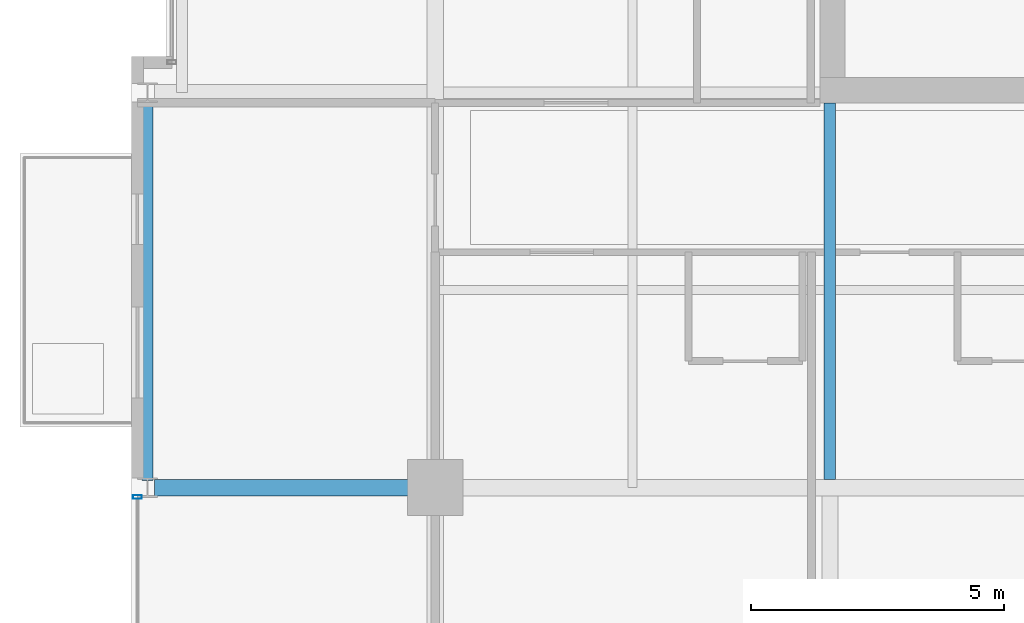
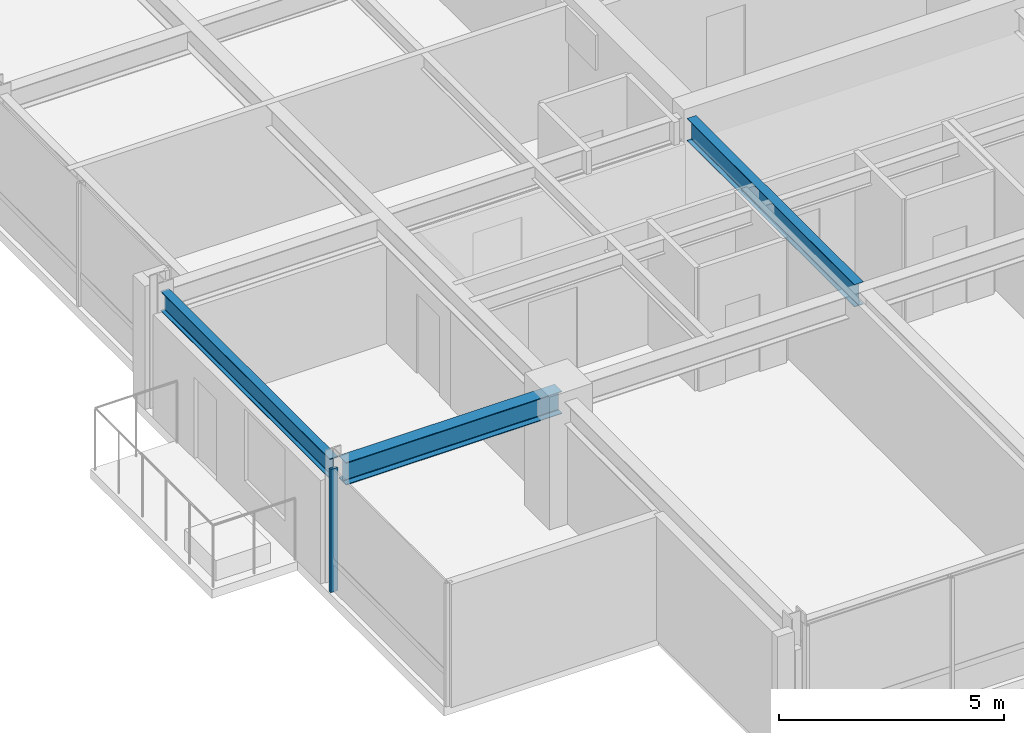
# One storey, part 4 of 32: 3 beams, 1 member, 1 element without a shape of its own.
"""IFC4 building model written with IfcOpenShell, lengths in metres."""

from ifc_helpers import new_model, si_unit, direction, frame, origin, origin_2d, place, context, subcontext, project, spatial, hollow_rectangle, i_section, extrude, material, layer, layer_set, material_profile, profile_set, type_object, element, aggregate, save


model = new_model("IFC4")

# Units and contexts
model_context = context("Model", 3, precision=1e-05, world=origin(), true_north=direction((0.0, 1.0)))
body_context = subcontext(model_context, "Body", "Model", "MODEL_VIEW")
ifc_project = project(units=[si_unit("LENGTHUNIT", "METRE"), si_unit("AREAUNIT", "SQUARE_METRE"), si_unit("VOLUMEUNIT", "CUBIC_METRE"), si_unit("PLANEANGLEUNIT", "RADIAN"), si_unit("MASSUNIT", "GRAM", prefix="KILO")], contexts=[model_context])

# Site, building, storey
site_placement = place(None, origin())
site = spatial("IfcSite", under=ifc_project, at=site_placement, CompositionType="ELEMENT")
building_placement = place(site_placement, origin())
building = spatial("IfcBuilding", under=site, at=building_placement, Name="Drelvath Grand Hotel", CompositionType="ELEMENT")
storey_placement = place(building_placement, frame((0.0, 0.0, 226.699951171875)))
storey = spatial("IfcBuildingStorey", under=building, at=storey_placement, Name="L59", CompositionType="ELEMENT", Elevation=226.699951171875)

# Curtain wall, member
ifc_material_1 = material(Name="Platinum-Mist Anodised Aluminium Frame", Category="aluminium")
ifc_layer = layer(ifc_material_1, 0.199951171875)
ifc_layer_set = layer_set([ifc_layer], Name="Platinum-Mist Anodised Aluminium Frame")
curtain_wall_type = type_object("IfcCurtainWallType", Name="Stick Curtain Wall CW-05 Platinum Mist High-Rise", PredefinedType="NOTDEFINED", material=ifc_layer_set)
curtain_wall_placement = place(storey_placement, origin())
curtain_wall = element("IfcCurtainWall", 1, at=curtain_wall_placement, inside=storey, type_object=curtain_wall_type, Name="L59 CW-05 Curtain Wall CW05-L59-WS1", PredefinedType="NOTDEFINED")
ifc_material_profile_1 = material_profile(ifc_material_1, hollow_rectangle(XDim=0.074951171875, YDim=0.179931640625, WallThickness=0.0048828125, at=origin_2d()), Name="HSS180X75X5")
ifc_profile_set_1 = profile_set([ifc_material_profile_1], Name="Platinum-Mist Anodised Aluminium Frame")
member_type = type_object("IfcMemberType", Name="Curtain Wall Vertical Mullion CW-05 HSS180X75X5", PredefinedType="MULLION", material=ifc_profile_set_1)
member_placement = place(storey_placement, frame((-22.080078125, 10.61474609375, 0.0), z_axis=(0.0, 0.0, 1.0), x_axis=(0.0, 1.0, 0.0)))
member = element("IfcMember", 2, at=member_placement, type_object=member_type, Name="CW05-L59-WS1 Mullion 2", PredefinedType="MULLION", context=body_context, shape_type="SweptSolid", body=[
    extrude(hollow_rectangle(XDim=0.074951171875, YDim=0.179931640625, WallThickness=0.0048828125, at=origin_2d()), origin(), (0.0, 0.0, 1.0), 3.340087890625),
])
aggregate(curtain_wall, [member])

# Beams
ifc_material_2 = material(Name="Steel ASTM A992 Gr 50", Category="steel")
ifc_material_profile_2 = material_profile(ifc_material_2, i_section(OverallWidth=0.210205078125, OverallDepth=0.53662109375, WebThickness=0.010986328125, FlangeThickness=0.017333984375, FilletRadius=0.01806640625, at=origin_2d()), Name="W21X68")
ifc_profile_set_2 = profile_set([ifc_material_profile_2], Name="Steel ASTM A992 Gr 50")
beam_type_1 = type_object("IfcBeamType", Name="Perimeter Spandrel Beam W21X68", PredefinedType="SPANDREL", material=ifc_profile_set_2)
beam_1_placement = place(storey_placement, frame((-21.8798828125, 10.93994140625, 3.071533203125), z_axis=(0.0, 1.0, 0.0), x_axis=(-1.0, 0.0, 0.0)))
element("IfcBeam", 3, at=beam_1_placement, inside=storey, type_object=beam_type_1, Name="L59 Spandrel West S", PredefinedType="SPANDREL", context=body_context, shape_type="SweptSolid", body=[
    extrude(i_section(OverallWidth=0.210205078125, OverallDepth=0.53662109375, WebThickness=0.010986328125, FlangeThickness=0.017333984375, FilletRadius=0.01806640625, at=origin_2d()), origin(), (0.0, 0.0, 1.0), 7.52001953125),
])
ifc_material_profile_3 = material_profile(ifc_material_2, i_section(OverallWidth=0.323974609375, OverallDepth=0.611083984375, WebThickness=0.0126953125, FlangeThickness=0.01904296875, FilletRadius=0.02197265625, at=origin_2d()), Name="W24X104")
ifc_profile_set_3 = profile_set([ifc_material_profile_3], Name="Steel ASTM A992 Gr 50")
beam_type_2 = type_object("IfcBeamType", Name="Primary Floor Girder W24X104", PredefinedType="BEAM", material=ifc_profile_set_3)
beam_2_placement = place(storey_placement, frame((-21.739990234375, 10.800048828125, 3.034423828125), z_axis=(1.0, 0.0, 0.0), x_axis=(0.0, 1.0, 0.0)))
element("IfcBeam", 4, at=beam_2_placement, inside=storey, type_object=beam_type_2, Name="L59 West Grid Girder C", PredefinedType="BEAM", context=body_context, shape_type="SweptSolid", body=[
    extrude(i_section(OverallWidth=0.323974609375, OverallDepth=0.611083984375, WebThickness=0.0126953125, FlangeThickness=0.01904296875, FilletRadius=0.02197265625, at=origin_2d()), origin(), (0.0, 0.0, 1.0), 5.5400390625),
])
ifc_material_profile_4 = material_profile(ifc_material_2, i_section(OverallWidth=0.228271484375, OverallDepth=0.607666015625, WebThickness=0.01123046875, FlangeThickness=0.017333984375, FilletRadius=0.02001953125, at=origin_2d()), Name="W24X76")
ifc_profile_set_4 = profile_set([ifc_material_profile_4], Name="Steel ASTM A992 Gr 50")
beam_type_3 = type_object("IfcBeamType", Name="Primary Floor Girder W24X76", PredefinedType="BEAM", material=ifc_profile_set_4)
beam_3_placement = place(storey_placement, frame((-8.39990234375, 10.9619140625, 3.0361328125), z_axis=(0.0, 1.0, 0.0), x_axis=(-1.0, 0.0, 0.0)))
element("IfcBeam", 5, at=beam_3_placement, inside=storey, type_object=beam_type_3, Name="L59 South Core Tie 4", PredefinedType="BEAM", context=body_context, shape_type="SweptSolid", body=[
    extrude(i_section(OverallWidth=0.228271484375, OverallDepth=0.607666015625, WebThickness=0.01123046875, FlangeThickness=0.017333984375, FilletRadius=0.02001953125, at=origin_2d()), origin(), (0.0, 0.0, 1.0), 7.43798828125),
])

save(model, "model.ifc")
